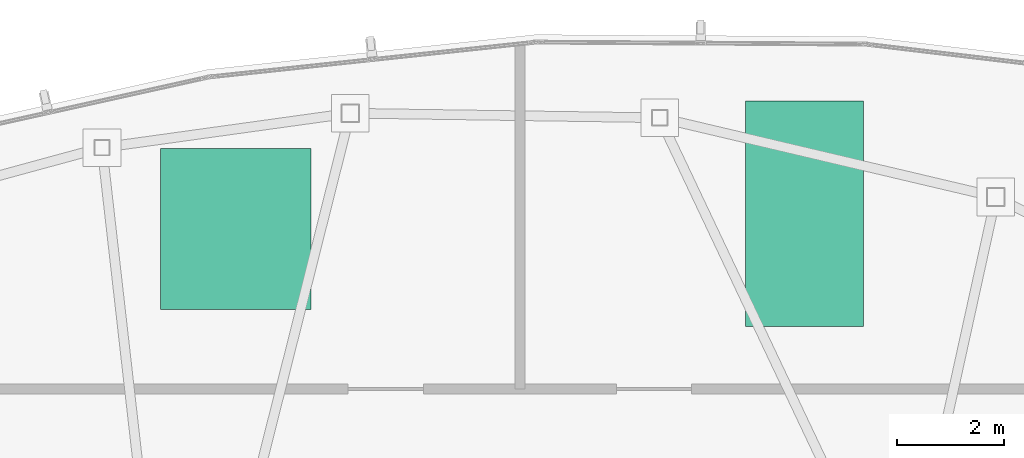
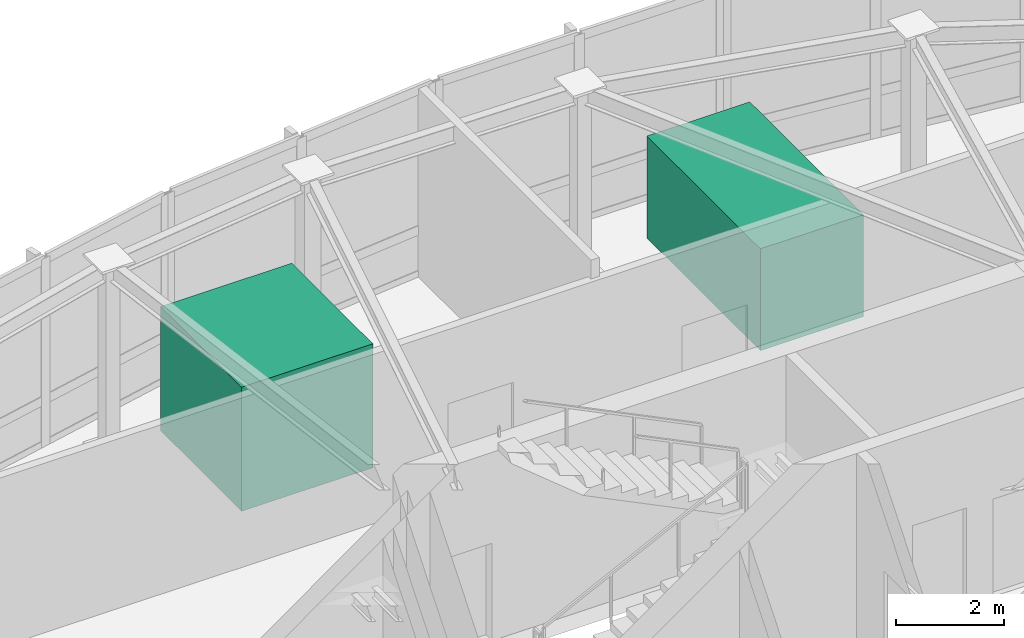
# One storey, part 15 of 15: 1 chiller, 1 cooling tower.
"""IFC4 building model written with IfcOpenShell, lengths in metres."""

from ifc_helpers import new_model, si_unit, direction, frame, origin, origin_2d, place, context, subcontext, project, spatial, rectangle, extrude, material, type_object, element, save


model = new_model("IFC4")

# Units and contexts
model_context = context("Model", 3, precision=1e-05, world=origin(), true_north=direction((0.0, 1.0)))
body_context = subcontext(model_context, "Body", "Model", "MODEL_VIEW")
ifc_project = project(units=[si_unit("LENGTHUNIT", "METRE"), si_unit("AREAUNIT", "SQUARE_METRE"), si_unit("VOLUMEUNIT", "CUBIC_METRE"), si_unit("PLANEANGLEUNIT", "RADIAN"), si_unit("MASSUNIT", "GRAM", prefix="KILO")], contexts=[model_context])

# Site, building, storey
site_placement = place(None, origin())
site = spatial("IfcSite", under=ifc_project, at=site_placement, CompositionType="ELEMENT")
building_placement = place(site_placement, origin())
building = spatial("IfcBuilding", under=site, at=building_placement, Name="Tavelor Broadcast Tower", CompositionType="ELEMENT")
storey_placement = place(building_placement, frame((0.0, 0.0, 341.300048828125)))
storey = spatial("IfcBuildingStorey", under=building, at=storey_placement, Name="L81", CompositionType="ELEMENT", Elevation=341.300048828125)

# Chiller
ifc_material = material(Name="Steel S355", Category="steel")
chiller_type = type_object("IfcChillerType", Name="Centrifugal Water-Cooled Chiller Package 2500 kW", PredefinedType="WATERCOOLED", material=ifc_material)
chiller_placement = place(storey_placement, frame((54.7978515625, 58.914306640625, 0.0), z_axis=(0.0, 0.0, 1.0), x_axis=(1.0, 0.0, 0.0)))
element("IfcChiller", 1, at=chiller_placement, inside=storey, type_object=chiller_type, Name="L81 Centrifugal Water-Cooled Chiller #13", PredefinedType="WATERCOOLED", context=body_context, shape_type="SweptSolid", body=[
    extrude(rectangle(XDim=2.199951171875, YDim=4.199951171875, at=origin_2d()), origin(), (0.0, 0.0, 1.0), 2.300048828125),
])

# Cooling tower
cooling_tower_type = type_object("IfcCoolingTowerType", Name="Induced-Draught Acoustic Cooling Tower Cell", PredefinedType="MECHANICALINDUCEDDRAFT", material=ifc_material)
cooling_tower_placement = place(storey_placement, frame((44.205810546875, 58.6279296875, 0.0), z_axis=(0.0, 0.0, 1.0), x_axis=(1.0, 0.0, 0.0)))
element("IfcCoolingTower", 2, at=cooling_tower_placement, inside=storey, type_object=cooling_tower_type, Name="L81 Induced-Draught Acoustic Cooling Tower #14", PredefinedType="MECHANICALINDUCEDDRAFT", context=body_context, shape_type="SweptSolid", body=[
    extrude(rectangle(XDim=2.800048828125, YDim=3.0, at=origin_2d()), origin(), (0.0, 0.0, 1.0), 2.800048828125),
])

save(model, "model.ifc")
